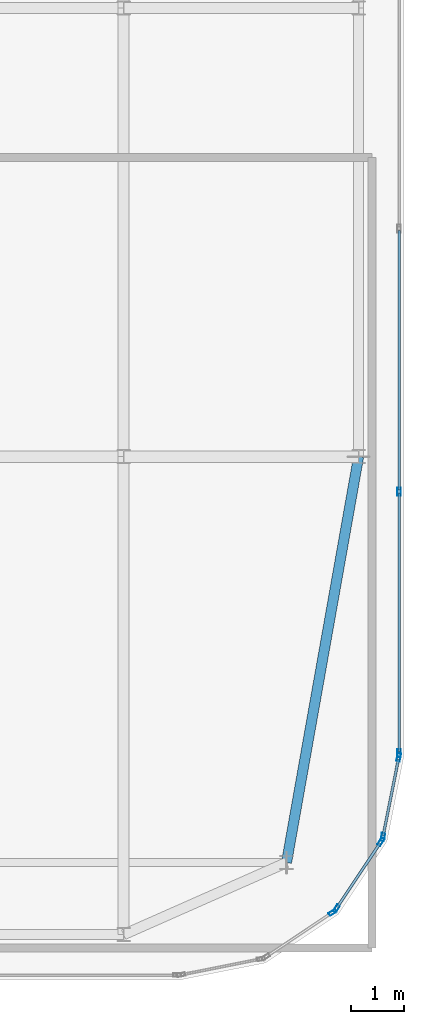
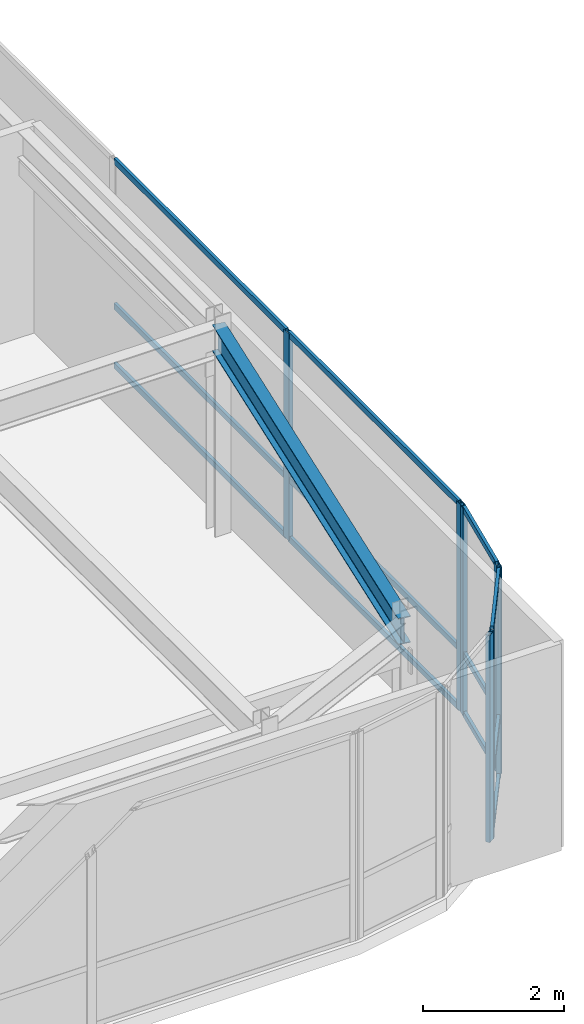
# One storey, part 21 of 36: 19 members, 1 beam, 4 elements without a shape of their own.
"""IFC4 building model written with IfcOpenShell, lengths in metres."""

from ifc_helpers import new_model, si_unit, direction, frame, origin, origin_2d, place, context, subcontext, project, spatial, hollow_rectangle, i_section, extrude, source, transform, mapped, material, layer, layer_set, material_profile, profile_set, type_object, type_shapes, element, aggregate, save


model = new_model("IFC4")

# Units and contexts
model_context = context("Model", 3, precision=1e-05, world=origin(), true_north=direction((0.0, 1.0)))
body_context = subcontext(model_context, "Body", "Model", "MODEL_VIEW")
ifc_project = project(units=[si_unit("LENGTHUNIT", "METRE"), si_unit("AREAUNIT", "SQUARE_METRE"), si_unit("VOLUMEUNIT", "CUBIC_METRE"), si_unit("PLANEANGLEUNIT", "RADIAN"), si_unit("MASSUNIT", "GRAM", prefix="KILO")], contexts=[model_context])

# Site, building, storey
site_placement = place(None, origin())
site = spatial("IfcSite", under=ifc_project, at=site_placement, CompositionType="ELEMENT")
building_placement = place(site_placement, origin())
building = spatial("IfcBuilding", under=site, at=building_placement, Name="Tolvann Quenvar Hotel", CompositionType="ELEMENT")
storey_placement = place(building_placement, frame((0.0, 0.0, 298.550048828125)))
storey = spatial("IfcBuildingStorey", under=building, at=storey_placement, Name="L79", CompositionType="ELEMENT", Elevation=298.550048828125)

# Beam
ifc_material_1 = material(Name="Steel Grade 350", Category="steel")
ifc_material_profile_1 = material_profile(ifc_material_1, i_section(OverallWidth=0.19091796875, OverallDepth=0.4599609375, WebThickness=0.010009765625, FlangeThickness=0.01611328125, FilletRadius=0.011474609375, at=origin_2d()), Name="460UB82")
ifc_profile_set_1 = profile_set([ifc_material_profile_1], Name="Steel Grade 350")
beam_type = type_object("IfcBeamType", Name="BM_SPAND_460UB82", PredefinedType="SPANDREL", material=ifc_profile_set_1)
shared_shape_1 = source(origin(), body_context, "Body", "SweptSolid", [
    extrude(i_section(OverallWidth=0.19091796875, OverallDepth=0.4599609375, WebThickness=0.010009765625, FlangeThickness=0.01611328125, FilletRadius=0.011474609375, at=origin_2d()), origin(), (0.0, 0.0, 1.0), 7.718994140625),
])
type_shapes(beam_type, [shared_shape_1])
beam_placement = place(storey_placement, frame((35.800048828125, 8.39990234375, 3.349853515625), z_axis=(0.174873222329, 0.984590958781, 0.0), x_axis=(-0.984590958781, 0.174873222329, 0.0)))
element("IfcBeam", 1, at=beam_placement, inside=storey, type_object=beam_type, Name="BM-L79-NS-G2-G4", PredefinedType="SPANDREL", context=body_context, shape_type="MappedRepresentation", body=[
    mapped(shared_shape_1, transform((0.0, 0.0, 0.0), x_axis=(1.0, 0.0, 0.0), y_axis=(0.0, 1.0, 0.0), z_axis=(0.0, 0.0, 1.0), scale=1.0)),
])

# Curtain wall, members
ifc_material_2 = material(Name="Thermally broken anodised architectural aluminium 6063-T6 and laminated low-E glass", Category="aluminium")
ifc_layer = layer(ifc_material_2, 0.179931640625)
ifc_layer_set = layer_set([ifc_layer], Name="Thermally broken anodised architectural aluminium 6063-T6 and laminated low-E glass")
curtain_wall_type = type_object("IfcCurtainWallType", Name="CW_SYS_LANT_06", PredefinedType="USERDEFINED", material=ifc_layer_set)
curtain_wall_1_placement = place(storey_placement, origin())
curtain_wall_1 = element("IfcCurtainWall", 2, at=curtain_wall_1_placement, inside=storey, type_object=curtain_wall_type, Name="Curtain Wall CW-LANT-06 (CWR-L79-E07)", ObjectType="UNITISED CURTAIN WALL", PredefinedType="USERDEFINED")
ifc_material_3 = material(Name="Anodised architectural aluminium 6063-T6 framing", Category="aluminium")
ifc_material_profile_2 = material_profile(ifc_material_3, hollow_rectangle(XDim=0.050048828125, YDim=0.10009765625, WallThickness=0.0029296875, at=origin_2d()), Name="100x50x3RHS")
ifc_profile_set_2 = profile_set([ifc_material_profile_2], Name="Anodised architectural aluminium 6063-T6 framing")
member_type_1 = type_object("IfcMemberType", Name="CW_TRAN_100x50", PredefinedType="USERDEFINED", material=ifc_profile_set_2)
shared_shape_2 = source(origin(), body_context, "Body", "SweptSolid", [
    extrude(hollow_rectangle(XDim=0.050048828125, YDim=0.10009765625, WallThickness=0.0029296875, at=origin_2d()), origin(), (0.0, 0.0, 1.0), 1.439208984375),
])
member_1_placement = place(storey_placement, frame((36.75048828125, 7.563232421875, 0.02490234375), z_axis=(0.555600315839, 0.831449510818, 0.0), x_axis=(-0.831449510818, 0.555600315839, 0.0)))
member_1 = element("IfcMember", 3, at=member_1_placement, type_object=member_type_1, Name="CW-LANT-06 transom 1.1", ObjectType="TRANSOM", PredefinedType="USERDEFINED", context=body_context, shape_type="MappedRepresentation", body=[
    mapped(shared_shape_2, transform((0.0, 0.0, 0.0), x_axis=(1.0, 0.0, 0.0), y_axis=(0.0, 1.0, 0.0), z_axis=(0.0, 0.0, 1.0), scale=1.0)),
])
member_2_placement = place(storey_placement, frame((36.75048828125, 7.563232421875, 1.050048828125), z_axis=(0.555600315839, 0.831449510818, 0.0), x_axis=(-0.831449510818, 0.555600315839, 0.0)))
member_2 = element("IfcMember", 4, at=member_2_placement, type_object=member_type_1, Name="CW-LANT-06 transom 1.2", ObjectType="TRANSOM", PredefinedType="USERDEFINED", context=body_context, shape_type="MappedRepresentation", body=[
    mapped(shared_shape_2, transform((0.0, 0.0, 0.0), x_axis=(1.0, 0.0, 0.0), y_axis=(0.0, 1.0, 0.0), z_axis=(0.0, 0.0, 1.0), scale=1.0)),
])
member_3_placement = place(storey_placement, frame((36.75048828125, 7.563232421875, 3.554931640625), z_axis=(0.555600315839, 0.831449510818, 0.0), x_axis=(-0.831449510818, 0.555600315839, 0.0)))
member_3 = element("IfcMember", 5, at=member_3_placement, type_object=member_type_1, Name="CW-LANT-06 transom 1.3", ObjectType="TRANSOM", PredefinedType="USERDEFINED", context=body_context, shape_type="MappedRepresentation", body=[
    mapped(shared_shape_2, transform((0.0, 0.0, 0.0), x_axis=(1.0, 0.0, 0.0), y_axis=(0.0, 1.0, 0.0), z_axis=(0.0, 0.0, 1.0), scale=1.0)),
])

curtain_wall_2_placement = place(storey_placement, origin())
curtain_wall_2 = element("IfcCurtainWall", 6, at=curtain_wall_2_placement, inside=storey, type_object=curtain_wall_type, Name="Curtain Wall CW-LANT-06 (CWR-L79-E08)", ObjectType="UNITISED CURTAIN WALL", PredefinedType="USERDEFINED")
shared_shape_3 = source(origin(), body_context, "Body", "SweptSolid", [
    extrude(hollow_rectangle(XDim=0.050048828125, YDim=0.10009765625, WallThickness=0.0029296875, at=origin_2d()), origin(), (0.0, 0.0, 1.0), 1.456787109375),
])
member_4_placement = place(storey_placement, frame((37.611572265625, 8.908203125, 0.02490234375), z_axis=(0.195084651288, 0.980786408364, 0.0), x_axis=(-0.980786408364, 0.195084651288, 0.0)))
member_4 = element("IfcMember", 7, at=member_4_placement, type_object=member_type_1, Name="CW-LANT-06 transom 1.1", ObjectType="TRANSOM", PredefinedType="USERDEFINED", context=body_context, shape_type="MappedRepresentation", body=[
    mapped(shared_shape_3, transform((0.0, 0.0, 0.0), x_axis=(1.0, 0.0, 0.0), y_axis=(0.0, 1.0, 0.0), z_axis=(0.0, 0.0, 1.0), scale=1.0)),
])
member_5_placement = place(storey_placement, frame((37.611572265625, 8.908203125, 1.050048828125), z_axis=(0.195084651288, 0.980786408364, 0.0), x_axis=(-0.980786408364, 0.195084651288, 0.0)))
member_5 = element("IfcMember", 8, at=member_5_placement, type_object=member_type_1, Name="CW-LANT-06 transom 1.2", ObjectType="TRANSOM", PredefinedType="USERDEFINED", context=body_context, shape_type="MappedRepresentation", body=[
    mapped(shared_shape_3, transform((0.0, 0.0, 0.0), x_axis=(1.0, 0.0, 0.0), y_axis=(0.0, 1.0, 0.0), z_axis=(0.0, 0.0, 1.0), scale=1.0)),
])
member_6_placement = place(storey_placement, frame((37.611572265625, 8.908203125, 3.554931640625), z_axis=(0.195084651288, 0.980786408364, 0.0), x_axis=(-0.980786408364, 0.195084651288, 0.0)))
member_6 = element("IfcMember", 9, at=member_6_placement, type_object=member_type_1, Name="CW-LANT-06 transom 1.3", ObjectType="TRANSOM", PredefinedType="USERDEFINED", context=body_context, shape_type="MappedRepresentation", body=[
    mapped(shared_shape_3, transform((0.0, 0.0, 0.0), x_axis=(1.0, 0.0, 0.0), y_axis=(0.0, 1.0, 0.0), z_axis=(0.0, 0.0, 1.0), scale=1.0)),
])

curtain_wall_3_placement = place(storey_placement, origin())
curtain_wall_3 = element("IfcCurtainWall", 10, at=curtain_wall_3_placement, inside=storey, type_object=curtain_wall_type, Name="Curtain Wall CW-LANT-06 (CWR-L79-E09)", ObjectType="UNITISED CURTAIN WALL", PredefinedType="USERDEFINED")
shared_shape_4 = source(origin(), body_context, "Body", "SweptSolid", [
    extrude(hollow_rectangle(XDim=0.050048828125, YDim=0.10009765625, WallThickness=0.0029296875, at=origin_2d()), origin(), (0.0, 0.0, 1.0), 4.830078125),
])
member_7_placement = place(storey_placement, frame((37.909912109375, 10.482177734375, 0.02490234375), z_axis=(0.0, 1.0, 0.0), x_axis=(-1.0, 0.0, 0.0)))
member_7 = element("IfcMember", 11, at=member_7_placement, type_object=member_type_1, Name="CW-LANT-06 transom 1.1", ObjectType="TRANSOM", PredefinedType="USERDEFINED", context=body_context, shape_type="MappedRepresentation", body=[
    mapped(shared_shape_4, transform((0.0, 0.0, 0.0), x_axis=(1.0, 0.0, 0.0), y_axis=(0.0, 1.0, 0.0), z_axis=(0.0, 0.0, 1.0), scale=1.0)),
])
member_8_placement = place(storey_placement, frame((37.909912109375, 10.482177734375, 1.050048828125), z_axis=(0.0, 1.0, 0.0), x_axis=(-1.0, 0.0, 0.0)))
member_8 = element("IfcMember", 12, at=member_8_placement, type_object=member_type_1, Name="CW-LANT-06 transom 1.2", ObjectType="TRANSOM", PredefinedType="USERDEFINED", context=body_context, shape_type="MappedRepresentation", body=[
    mapped(shared_shape_4, transform((0.0, 0.0, 0.0), x_axis=(1.0, 0.0, 0.0), y_axis=(0.0, 1.0, 0.0), z_axis=(0.0, 0.0, 1.0), scale=1.0)),
])
member_9_placement = place(storey_placement, frame((37.909912109375, 10.482177734375, 3.554931640625), z_axis=(0.0, 1.0, 0.0), x_axis=(-1.0, 0.0, 0.0)))
member_9 = element("IfcMember", 13, at=member_9_placement, type_object=member_type_1, Name="CW-LANT-06 transom 1.3", ObjectType="TRANSOM", PredefinedType="USERDEFINED", context=body_context, shape_type="MappedRepresentation", body=[
    mapped(shared_shape_4, transform((0.0, 0.0, 0.0), x_axis=(1.0, 0.0, 0.0), y_axis=(0.0, 1.0, 0.0), z_axis=(0.0, 0.0, 1.0), scale=1.0)),
])
shared_shape_5 = source(origin(), body_context, "Body", "SweptSolid", [
    extrude(hollow_rectangle(XDim=0.050048828125, YDim=0.10009765625, WallThickness=0.0029296875, at=origin_2d()), origin(), (0.0, 0.0, 1.0), 4.86279296875),
])
type_shapes(member_type_1, [shared_shape_2, shared_shape_3, shared_shape_4, shared_shape_5])
member_10_placement = place(storey_placement, frame((37.909912109375, 15.377197265625, 0.02490234375), z_axis=(0.0, 1.0, 0.0), x_axis=(-1.0, 0.0, 0.0)))
member_10 = element("IfcMember", 14, at=member_10_placement, type_object=member_type_1, Name="CW-LANT-06 transom 2.1", ObjectType="TRANSOM", PredefinedType="USERDEFINED", context=body_context, shape_type="MappedRepresentation", body=[
    mapped(shared_shape_5, transform((0.0, 0.0, 0.0), x_axis=(1.0, 0.0, 0.0), y_axis=(0.0, 1.0, 0.0), z_axis=(0.0, 0.0, 1.0), scale=1.0)),
])
member_11_placement = place(storey_placement, frame((37.909912109375, 15.377197265625, 1.050048828125), z_axis=(0.0, 1.0, 0.0), x_axis=(-1.0, 0.0, 0.0)))
member_11 = element("IfcMember", 15, at=member_11_placement, type_object=member_type_1, Name="CW-LANT-06 transom 2.2", ObjectType="TRANSOM", PredefinedType="USERDEFINED", context=body_context, shape_type="MappedRepresentation", body=[
    mapped(shared_shape_5, transform((0.0, 0.0, 0.0), x_axis=(1.0, 0.0, 0.0), y_axis=(0.0, 1.0, 0.0), z_axis=(0.0, 0.0, 1.0), scale=1.0)),
])
member_12_placement = place(storey_placement, frame((37.909912109375, 15.377197265625, 3.554931640625), z_axis=(0.0, 1.0, 0.0), x_axis=(-1.0, 0.0, 0.0)))
member_12 = element("IfcMember", 16, at=member_12_placement, type_object=member_type_1, Name="CW-LANT-06 transom 2.3", ObjectType="TRANSOM", PredefinedType="USERDEFINED", context=body_context, shape_type="MappedRepresentation", body=[
    mapped(shared_shape_5, transform((0.0, 0.0, 0.0), x_axis=(1.0, 0.0, 0.0), y_axis=(0.0, 1.0, 0.0), z_axis=(0.0, 0.0, 1.0), scale=1.0)),
])

# Curtain wall, member
curtain_wall_4_placement = place(storey_placement, origin())
curtain_wall_4 = element("IfcCurtainWall", 17, at=curtain_wall_4_placement, inside=storey, type_object=curtain_wall_type, Name="Curtain Wall CW-LANT-06 (CWR-L79-E06)", ObjectType="UNITISED CURTAIN WALL", PredefinedType="USERDEFINED")
ifc_material_profile_3 = material_profile(ifc_material_3, hollow_rectangle(XDim=0.06494140625, YDim=0.14990234375, WallThickness=0.00390625, at=origin_2d()), Name="150x65x4RHS")
ifc_profile_set_3 = profile_set([ifc_material_profile_3], Name="Anodised architectural aluminium 6063-T6 framing")
member_type_2 = type_object("IfcMemberType", Name="CW_MULL_150x65", PredefinedType="MULLION", material=ifc_profile_set_3)
shared_shape_6 = source(origin(), body_context, "Body", "SweptSolid", [
    extrude(hollow_rectangle(XDim=0.06494140625, YDim=0.14990234375, WallThickness=0.00390625, at=origin_2d()), origin(), (0.0, 0.0, 1.0), 3.579833984375),
])
type_shapes(member_type_2, [shared_shape_6])
member_13_placement = place(storey_placement, frame((36.663818359375, 7.467529296875, 0.0), z_axis=(0.0, 0.0, 1.0), x_axis=(-0.555655769644, 0.831412452193, 0.0)))
member_13 = element("IfcMember", 18, at=member_13_placement, type_object=member_type_2, Name="CW-LANT-06 mullion 2", PredefinedType="MULLION", context=body_context, shape_type="MappedRepresentation", body=[
    mapped(shared_shape_6, transform((0.0, 0.0, 0.0), x_axis=(1.0, 0.0, 0.0), y_axis=(0.0, 1.0, 0.0), z_axis=(0.0, 0.0, 1.0), scale=1.0)),
])
aggregate(curtain_wall_4, [member_13])

# Member
member_14_placement = place(storey_placement, frame((36.732421875, 7.5361328125, 0.0), z_axis=(0.0, 0.0, 1.0), x_axis=(-0.831412452193, 0.555655769644, 0.0)))
member_14 = element("IfcMember", 19, at=member_14_placement, type_object=member_type_2, Name="CW-LANT-06 mullion 1", PredefinedType="MULLION", context=body_context, shape_type="MappedRepresentation", body=[
    mapped(shared_shape_6, transform((0.0, 0.0, 0.0), x_axis=(1.0, 0.0, 0.0), y_axis=(0.0, 1.0, 0.0), z_axis=(0.0, 0.0, 1.0), scale=1.0)),
])

member_15_placement = place(storey_placement, frame((37.568115234375, 8.786865234375, 0.0), z_axis=(0.0, 0.0, 1.0), x_axis=(-0.831412452193, 0.555655769644, 0.0)))
member_15 = element("IfcMember", 20, at=member_15_placement, type_object=member_type_2, Name="CW-LANT-06 mullion 2", PredefinedType="MULLION", context=body_context, shape_type="MappedRepresentation", body=[
    mapped(shared_shape_6, transform((0.0, 0.0, 0.0), x_axis=(1.0, 0.0, 0.0), y_axis=(0.0, 1.0, 0.0), z_axis=(0.0, 0.0, 1.0), scale=1.0)),
])

aggregate(curtain_wall_1, [member_14, member_15, member_1, member_2, member_3])

member_16_placement = place(storey_placement, frame((37.605224609375, 8.876220703125, 0.0), z_axis=(0.0, 0.0, 1.0), x_axis=(-0.980790999222, 0.195061569369, 0.0)))
member_16 = element("IfcMember", 21, at=member_16_placement, type_object=member_type_2, Name="CW-LANT-06 mullion 1", PredefinedType="MULLION", context=body_context, shape_type="MappedRepresentation", body=[
    mapped(shared_shape_6, transform((0.0, 0.0, 0.0), x_axis=(1.0, 0.0, 0.0), y_axis=(0.0, 1.0, 0.0), z_axis=(0.0, 0.0, 1.0), scale=1.0)),
])

member_17_placement = place(storey_placement, frame((37.902099609375, 10.36865234375, 0.0), z_axis=(0.0, 0.0, 1.0), x_axis=(-0.980790999222, 0.195061569369, 0.0)))
member_17 = element("IfcMember", 22, at=member_17_placement, type_object=member_type_2, Name="CW-LANT-06 mullion 2", PredefinedType="MULLION", context=body_context, shape_type="MappedRepresentation", body=[
    mapped(shared_shape_6, transform((0.0, 0.0, 0.0), x_axis=(1.0, 0.0, 0.0), y_axis=(0.0, 1.0, 0.0), z_axis=(0.0, 0.0, 1.0), scale=1.0)),
])

aggregate(curtain_wall_2, [member_16, member_17, member_4, member_5, member_6])

member_18_placement = place(storey_placement, frame((37.909912109375, 10.44970703125, 0.0), z_axis=(0.0, 0.0, 1.0), x_axis=(-1.0, 0.0, 0.0)))
member_18 = element("IfcMember", 23, at=member_18_placement, type_object=member_type_2, Name="CW-LANT-06 mullion 1", PredefinedType="MULLION", context=body_context, shape_type="MappedRepresentation", body=[
    mapped(shared_shape_6, transform((0.0, 0.0, 0.0), x_axis=(1.0, 0.0, 0.0), y_axis=(0.0, 1.0, 0.0), z_axis=(0.0, 0.0, 1.0), scale=1.0)),
])

member_19_placement = place(storey_placement, frame((37.909912109375, 15.3447265625, 0.0), z_axis=(0.0, 0.0, 1.0), x_axis=(-1.0, 0.0, 0.0)))
member_19 = element("IfcMember", 24, at=member_19_placement, type_object=member_type_2, Name="CW-LANT-06 mullion 2", PredefinedType="MULLION", context=body_context, shape_type="MappedRepresentation", body=[
    mapped(shared_shape_6, transform((0.0, 0.0, 0.0), x_axis=(1.0, 0.0, 0.0), y_axis=(0.0, 1.0, 0.0), z_axis=(0.0, 0.0, 1.0), scale=1.0)),
])

aggregate(curtain_wall_3, [member_18, member_19, member_7, member_8, member_9, member_10, member_11, member_12])

save(model, "model.ifc")
